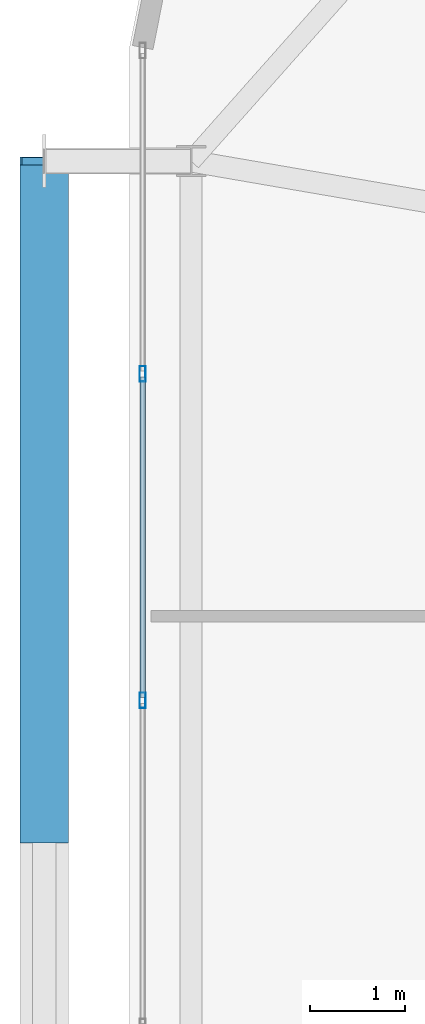
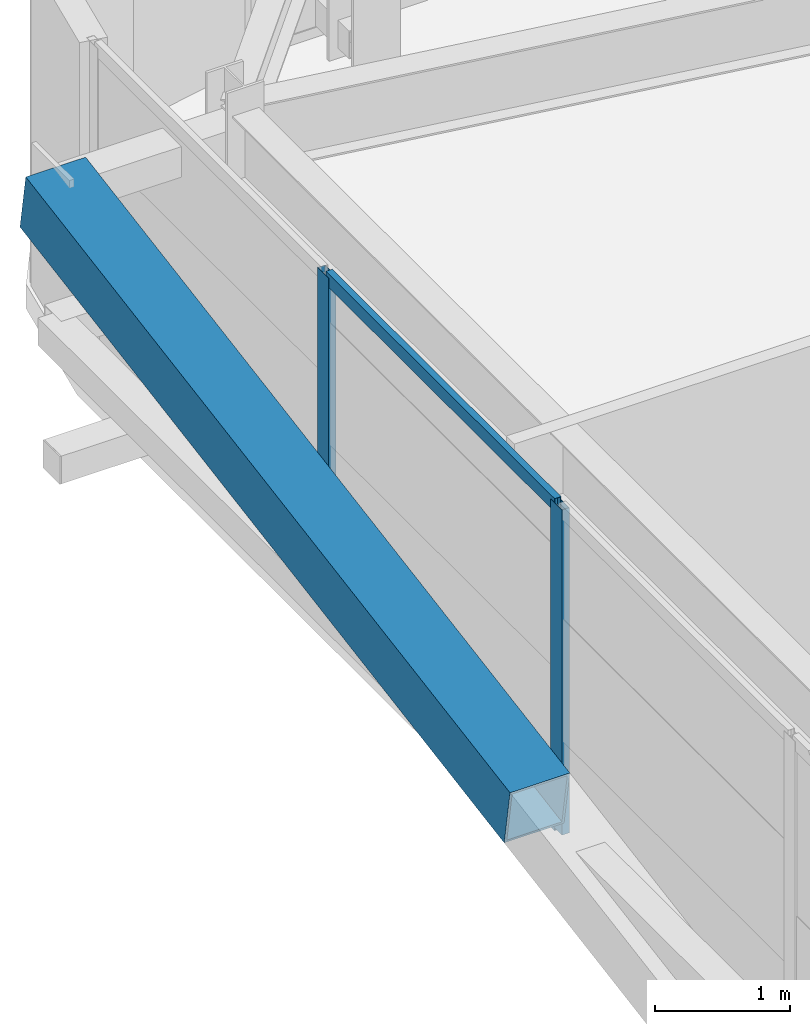
# One storey, part 18 of 59: 5 members, 1 element without a shape of its own.
"""IFC4 building model written with IfcOpenShell, lengths in metres."""

from ifc_helpers import new_model, si_unit, direction, frame, origin, origin_2d, place, context, subcontext, project, spatial, hollow_rectangle, extrude, source, transform, mapped, material, layer, layer_set, material_profile, profile_set, type_object, element, aggregate, save


model = new_model("IFC4")

# Units and contexts
model_context = context("Model", 3, precision=1e-05, world=origin(), true_north=direction((0.0, 1.0)))
body_context = subcontext(model_context, "Body", "Model", "MODEL_VIEW")
ifc_project = project(units=[si_unit("LENGTHUNIT", "METRE"), si_unit("AREAUNIT", "SQUARE_METRE"), si_unit("VOLUMEUNIT", "CUBIC_METRE"), si_unit("PLANEANGLEUNIT", "RADIAN"), si_unit("MASSUNIT", "GRAM", prefix="KILO")], contexts=[model_context])

# Site, building, storey
site_placement = place(None, origin())
site = spatial("IfcSite", under=ifc_project, at=site_placement, CompositionType="ELEMENT")
building_placement = place(site_placement, origin())
building = spatial("IfcBuilding", under=site, at=building_placement, Name="Taldren Reach Tower", CompositionType="ELEMENT")
storey_placement = place(building_placement, frame((0.0, 0.0, 26.25)))
storey = spatial("IfcBuildingStorey", under=building, at=storey_placement, Name="L07", CompositionType="ELEMENT", Elevation=26.25)

# Member
ifc_material_1 = material(Name="Steel Gr 450 (C450L0)", Category="steel")
ifc_material_profile_1 = material_profile(ifc_material_1, hollow_rectangle(XDim=0.510009765625, YDim=0.510009765625, WallThickness=0.02001953125, at=origin_2d()), Name="510x510x20.0SHS")
ifc_profile_set_1 = profile_set([ifc_material_profile_1], Name="Steel Gr 450 (C450L0)")
member_type_1 = type_object("IfcMemberType", Name="MB-EXO508", PredefinedType="BRACE", material=ifc_profile_set_1)
shared_shape_1 = source(origin(), body_context, "Body", "SweptSolid", [
    extrude(hollow_rectangle(XDim=0.510009765625, YDim=0.510009765625, WallThickness=0.02001953125, at=origin_2d()), origin(), (0.0, 0.0, 1.0), 7.252685546875),
])
member_1_placement = place(storey_placement, frame((4.10009765625, 27.14990234375, 1.43505859375), z_axis=(0.0, 0.985871360071, 0.167504213054), x_axis=(-1.0, 0.0, 0.0)))
element("IfcMember", 1, at=member_1_placement, inside=storey, type_object=member_type_1, Name="Exoskeleton Diagrid Brace B1-W2 L07", PredefinedType="BRACE", context=body_context, shape_type="MappedRepresentation", body=[
    mapped(shared_shape_1, transform((0.0, 0.0, 0.0), scale=1.0)),
])

# Curtain wall, members
ifc_material_2 = material(Name="Aluminium and Low-E Glass Unitised System", Category="aluminium")
ifc_layer = layer(ifc_material_2, 0.159912109375)
ifc_layer_set = layer_set([ifc_layer], Name="Aluminium and Low-E Glass Unitised System")
curtain_wall_type = type_object("IfcCurtainWallType", Name="CW-SYS-2", PredefinedType="NOTDEFINED", material=ifc_layer_set)
curtain_wall_placement = place(storey_placement, origin())
curtain_wall = element("IfcCurtainWall", 2, at=curtain_wall_placement, inside=storey, type_object=curtain_wall_type, Name="Unitised curtain wall CW-L07-W", PredefinedType="NOTDEFINED")
ifc_material_3 = material(Name="Anodised Aluminium 6063-T6", Category="aluminium")
ifc_material_profile_2 = material_profile(ifc_material_3, hollow_rectangle(XDim=0.06494140625, YDim=0.1650390625, WallThickness=0.00390625, at=origin_2d()), Name="ALU-165x65x4RHS")
ifc_profile_set_2 = profile_set([ifc_material_profile_2], Name="Anodised Aluminium 6063-T6")
member_type_2 = type_object("IfcMemberType", Name="CW-MUL-165", PredefinedType="MULLION", material=ifc_profile_set_2)
shared_shape_2 = source(origin(), body_context, "Body", "SweptSolid", [
    extrude(hollow_rectangle(XDim=0.06494140625, YDim=0.1650390625, WallThickness=0.00390625, at=origin_2d()), origin(), (0.0, 0.0, 1.0), 2.929931640625),
])
member_2_placement = place(storey_placement, frame((5.139892578125, 32.0556640625, 0.0), z_axis=(0.0, 0.0, 1.0), x_axis=(1.0, 0.0, 0.0)))
member_2 = element("IfcMember", 3, at=member_2_placement, type_object=member_type_2, Name="CW-2 mullion 2", PredefinedType="MULLION", context=body_context, shape_type="MappedRepresentation", body=[
    mapped(shared_shape_2, transform((0.0, 0.0, 0.0), scale=1.0)),
])
member_3_placement = place(storey_placement, frame((5.139892578125, 28.611083984375, 0.0), z_axis=(0.0, 0.0, 1.0), x_axis=(1.0, 0.0, 0.0)))
member_3 = element("IfcMember", 4, at=member_3_placement, type_object=member_type_2, Name="CW-2 mullion 3", PredefinedType="MULLION", context=body_context, shape_type="MappedRepresentation", body=[
    mapped(shared_shape_2, transform((0.0, 0.0, 0.0), scale=1.0)),
])
ifc_material_profile_3 = material_profile(ifc_material_3, hollow_rectangle(XDim=0.054931640625, YDim=0.1201171875, WallThickness=0.0029296875, at=origin_2d()), Name="ALU-120x55x3RHS")
ifc_profile_set_3 = profile_set([ifc_material_profile_3], Name="Anodised Aluminium 6063-T6")
member_type_3 = type_object("IfcMemberType", Name="CW-TRN-135", PredefinedType="USERDEFINED", material=ifc_profile_set_3)
shared_shape_3 = source(origin(), body_context, "Body", "SweptSolid", [
    extrude(hollow_rectangle(XDim=0.054931640625, YDim=0.1201171875, WallThickness=0.0029296875, at=origin_2d()), origin(), (0.0, 0.0, 1.0), 3.37939453125),
])
member_4_placement = place(storey_placement, frame((5.139892578125, 32.02294921875, 0.027587890625), z_axis=(0.0, -1.0, 0.0), x_axis=(1.0, 0.0, 0.0)))
member_4 = element("IfcMember", 5, at=member_4_placement, type_object=member_type_3, Name="CW-2 transom 2.1", ObjectType="TRANSOM", PredefinedType="USERDEFINED", context=body_context, shape_type="MappedRepresentation", body=[
    mapped(shared_shape_3, transform((0.0, 0.0, 0.0), scale=1.0)),
])
member_5_placement = place(storey_placement, frame((5.139892578125, 32.02294921875, 2.902587890625), z_axis=(0.0, -1.0, 0.0), x_axis=(1.0, 0.0, 0.0)))
member_5 = element("IfcMember", 6, at=member_5_placement, type_object=member_type_3, Name="CW-2 transom 2.2", ObjectType="TRANSOM", PredefinedType="USERDEFINED", context=body_context, shape_type="MappedRepresentation", body=[
    mapped(shared_shape_3, transform((0.0, 0.0, 0.0), scale=1.0)),
])
aggregate(curtain_wall, [member_2, member_3, member_4, member_5])

save(model, "model.ifc")
